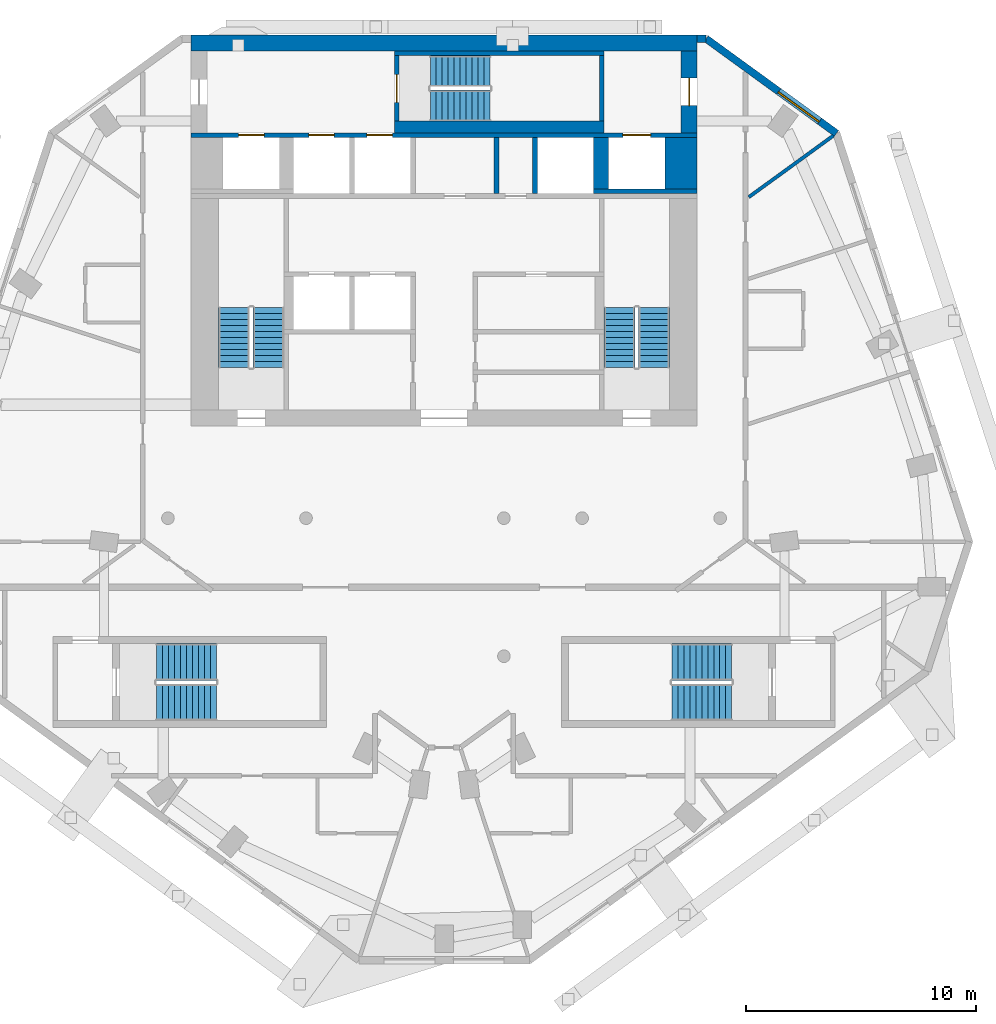
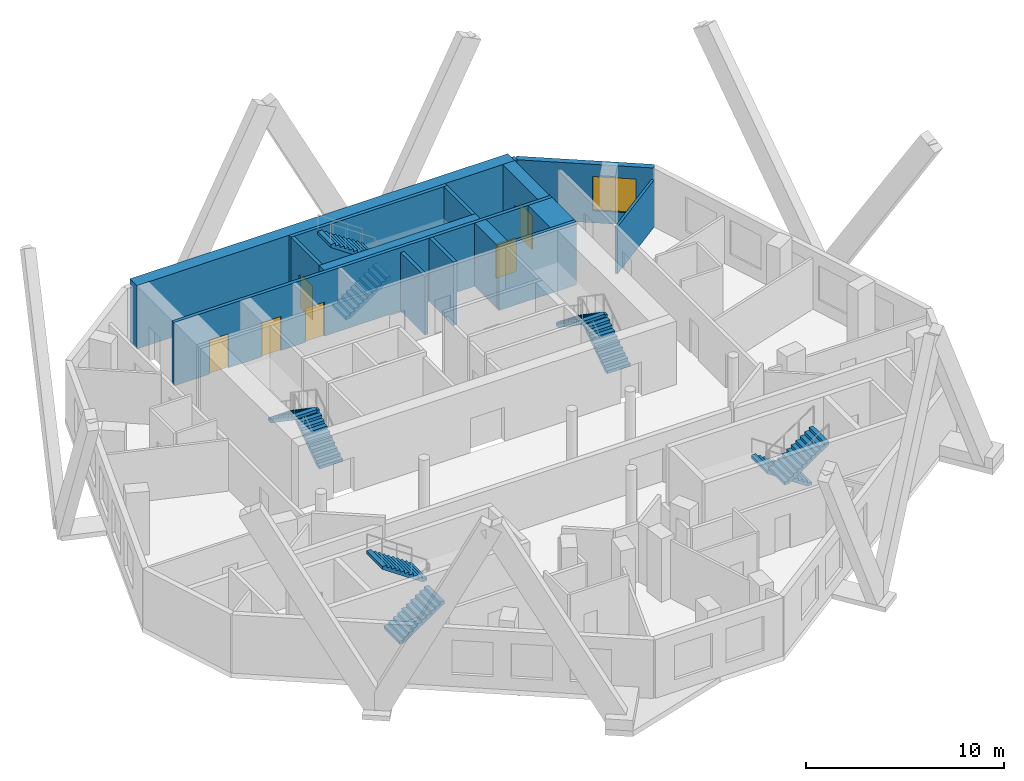
# One storey, part 6 of 8: 15 walls, 10 stair flights, 6 doors, 1 window, 7 openings, 5 elements without a shape of their own.
"""IFC4 building model written with IfcOpenShell, lengths in metres."""

from ifc_helpers import new_model, si_unit, direction, frame, frame_2d, origin, place, context, subcontext, project, spatial, polyline, rectangle, outline, extrude, material, layer, layer_set, type_object, element, fill, aggregate, save


model = new_model("IFC4")

# Units and contexts
model_context = context("Model", 3, precision=1e-05, world=origin(), true_north=direction((0.0, 1.0)))
body_context = subcontext(model_context, "Body", "Model", "MODEL_VIEW")
ifc_project = project(units=[si_unit("LENGTHUNIT", "METRE"), si_unit("AREAUNIT", "SQUARE_METRE"), si_unit("VOLUMEUNIT", "CUBIC_METRE"), si_unit("PLANEANGLEUNIT", "RADIAN"), si_unit("MASSUNIT", "GRAM", prefix="KILO")], contexts=[model_context])

# Site, building, storey
site_placement = place(None, origin())
site = spatial("IfcSite", under=ifc_project, at=site_placement, CompositionType="ELEMENT")
building_placement = place(site_placement, origin())
building = spatial("IfcBuilding", under=site, at=building_placement, Name="White Candle Pilgrim Tower", CompositionType="ELEMENT")
storey_placement = place(building_placement, frame((0.0, 0.0, 283.39990234375)))
storey = spatial("IfcBuildingStorey", under=building, at=storey_placement, Name="L67", CompositionType="ELEMENT", Elevation=283.39990234375)

# Walls
ifc_material_1 = material(Name="Concrete C50/60", Category="concrete")
ifc_layer_1 = layer(ifc_material_1, 1.39990234375)
ifc_layer_set_1 = layer_set([ifc_layer_1], Name="Core wall 1400 mm Concrete C50/60")
wall_type_1 = type_object("IfcWallType", Name="Core wall 1400 mm Concrete C50/60", PredefinedType="SHEAR", material=ifc_layer_set_1)
wall_1_placement = place(storey_placement, frame((80.300048828125, 81.300048828125, 0.0), z_axis=(0.0, 0.0, 1.0), x_axis=(0.0, 1.0, 0.0)))
element("IfcWall", 1, at=wall_1_placement, inside=storey, type_object=wall_type_1, Name="WL-L67-C42", PredefinedType="SHEAR", context=body_context, shape_type="SweptSolid", body=[
    extrude(rectangle(XDim=2.25, YDim=1.39990234375, at=frame_2d((1.125, 0.0))), origin(), (0.0, 0.0, 1.0), 3.900146484375),
])
ifc_layer_2 = layer(ifc_material_1, 0.199951171875)
ifc_layer_set_2 = layer_set([ifc_layer_2], Name="Core wall 200 mm Concrete C50/60")
wall_type_2 = type_object("IfcWallType", Name="Core wall 200 mm Concrete C50/60", PredefinedType="SHEAR", material=ifc_layer_set_2)
wall_2_placement = place(storey_placement, frame((76.5, 81.199951171875, 0.0), z_axis=(0.0, 0.0, 1.0), x_axis=(1.0, 0.0, 0.0)))
element("IfcWall", 2, at=wall_2_placement, inside=storey, type_object=wall_type_2, Name="WL-L67-C38", PredefinedType="SHEAR", context=body_context, shape_type="SweptSolid", body=[
    extrude(rectangle(XDim=4.5, YDim=0.199951171875, at=frame_2d((2.25, 0.0))), origin(), (0.0, 0.0, 1.0), 3.900146484375),
])

# Wall, openings, doors
wall_3_placement = place(storey_placement, frame((59.0, 83.64990234375, 0.0), z_axis=(0.0, 0.0, 1.0), x_axis=(1.0, 0.0, 0.0)))
wall_3 = element("IfcWall", 3, at=wall_3_placement, inside=storey, type_object=wall_type_2, Name="WL-L67-C43", PredefinedType="SHEAR", context=body_context, shape_type="SweptSolid", body=[
    extrude(rectangle(XDim=22.0, YDim=0.199951171875, at=frame_2d((11.0, 0.0))), origin(), (0.0, 0.0, 1.0), 3.900146484375),
])
opening_1_placement = place(wall_3_placement, frame((5.125, 0.0, 0.0)))
opening_1 = element("IfcOpeningElement", 4, at=opening_1_placement, cuts=wall_3, Name="Opening T21-016", PredefinedType="OPENING", context=body_context, shape_type="SweptSolid", body=[
    extrude(rectangle(XDim=1.10009765625, YDim=2.10009765625, at=frame_2d((0.550048828125, 1.050048828125))), frame((0.0, 0.10986328125, 0.0), z_axis=(0.0, -1.0, 0.0), x_axis=(1.0, 0.0, 0.0)), (0.0, 0.0, 1.0), 0.219970703125),
])
opening_2_placement = place(wall_3_placement, frame((7.64990234375, 0.0, 0.0)))
opening_2 = element("IfcOpeningElement", 5, at=opening_2_placement, cuts=wall_3, Name="Opening T21-017", PredefinedType="OPENING", context=body_context, shape_type="SweptSolid", body=[
    extrude(rectangle(XDim=1.10009765625, YDim=2.10009765625, at=frame_2d((0.550048828125, 1.050048828125))), frame((0.0, 0.10986328125, 0.0), z_axis=(0.0, -1.0, 0.0), x_axis=(1.0, 0.0, 0.0)), (0.0, 0.0, 1.0), 0.219970703125),
])
opening_3_placement = place(wall_3_placement, frame((18.77490234375, 0.0, 0.0)))
opening_3 = element("IfcOpeningElement", 6, at=opening_3_placement, cuts=wall_3, Name="Opening T21-018", PredefinedType="OPENING", context=body_context, shape_type="SweptSolid", body=[
    extrude(rectangle(XDim=1.199951171875, YDim=2.10009765625, at=frame_2d((0.60009765625, 1.050048828125))), frame((0.0, 0.10986328125, 0.0), z_axis=(0.0, -1.0, 0.0), x_axis=(1.0, 0.0, 0.0)), (0.0, 0.0, 1.0), 0.219970703125),
])
opening_4_placement = place(wall_3_placement, frame((2.074951171875, 0.0, 0.0)))
opening_4 = element("IfcOpeningElement", 7, at=opening_4_placement, cuts=wall_3, Name="Opening T21-019", PredefinedType="OPENING", context=body_context, shape_type="SweptSolid", body=[
    extrude(rectangle(XDim=1.10009765625, YDim=2.10009765625, at=frame_2d((0.550048828125, 1.050048828125))), frame((0.0, 0.10986328125, 0.0), z_axis=(0.0, -1.0, 0.0), x_axis=(1.0, 0.0, 0.0)), (0.0, 0.0, 1.0), 0.219970703125),
])
ifc_material_2 = material(Name="Stainless steel", Category="steel")
door_type_1 = type_object("IfcDoorType", Name="Lift landing door 1100 x 2100 EI 60", OperationType="DOUBLE_DOOR_SLIDING", PredefinedType="DOOR", material=ifc_material_2)
door_1_placement = place(opening_1_placement, origin())
door_1 = element("IfcDoor", 8, at=door_1_placement, inside=storey, type_object=door_type_1, Name="Door T21-016", OperationType="DOUBLE_DOOR_SLIDING", OverallHeight=2.10009765625, OverallWidth=1.10009765625, PredefinedType="DOOR", context=body_context, shape_type="SweptSolid", body=[
    extrude(rectangle(XDim=1.10009765625, YDim=2.10009765625, at=frame_2d((0.550048828125, 1.050048828125))), frame((0.0, 0.02490234375, 0.0), z_axis=(0.0, -1.0, 0.0), x_axis=(1.0, 0.0, 0.0)), (0.0, 0.0, 1.0), 0.050048828125),
])
fill(opening_1, door_1)
door_2_placement = place(opening_2_placement, origin())
door_2 = element("IfcDoor", 9, at=door_2_placement, inside=storey, type_object=door_type_1, Name="Door T21-017", OperationType="DOUBLE_DOOR_SLIDING", OverallHeight=2.10009765625, OverallWidth=1.10009765625, PredefinedType="DOOR", context=body_context, shape_type="SweptSolid", body=[
    extrude(rectangle(XDim=1.10009765625, YDim=2.10009765625, at=frame_2d((0.550048828125, 1.050048828125))), frame((0.0, 0.02490234375, 0.0), z_axis=(0.0, -1.0, 0.0), x_axis=(1.0, 0.0, 0.0)), (0.0, 0.0, 1.0), 0.050048828125),
])
fill(opening_2, door_2)
door_3_placement = place(opening_4_placement, origin())
door_3 = element("IfcDoor", 10, at=door_3_placement, inside=storey, type_object=door_type_1, Name="Door T21-019", OperationType="DOUBLE_DOOR_SLIDING", OverallHeight=2.10009765625, OverallWidth=1.10009765625, PredefinedType="DOOR", context=body_context, shape_type="SweptSolid", body=[
    extrude(rectangle(XDim=1.10009765625, YDim=2.10009765625, at=frame_2d((0.550048828125, 1.050048828125))), frame((0.0, 0.02490234375, 0.0), z_axis=(0.0, -1.0, 0.0), x_axis=(1.0, 0.0, 0.0)), (0.0, 0.0, 1.0), 0.050048828125),
])
fill(opening_4, door_3)
door_type_2 = type_object("IfcDoorType", Name="Lift landing door 1200 x 2100 E 60", OperationType="DOUBLE_DOOR_SLIDING", PredefinedType="DOOR", material=ifc_material_2)
door_4_placement = place(opening_3_placement, origin())
door_4 = element("IfcDoor", 11, at=door_4_placement, inside=storey, type_object=door_type_2, Name="Door T21-018", OperationType="DOUBLE_DOOR_SLIDING", OverallHeight=2.10009765625, OverallWidth=1.199951171875, PredefinedType="DOOR", context=body_context, shape_type="SweptSolid", body=[
    extrude(rectangle(XDim=1.199951171875, YDim=2.10009765625, at=frame_2d((0.60009765625, 1.050048828125))), frame((0.0, 0.02490234375, 0.0), z_axis=(0.0, -1.0, 0.0), x_axis=(1.0, 0.0, 0.0)), (0.0, 0.0, 1.0), 0.050048828125),
])
fill(opening_3, door_4)

# Wall, opening, door
ifc_layer_3 = layer(ifc_material_1, 0.699951171875)
ifc_layer_set_3 = layer_set([ifc_layer_3], Name="Core wall 700 mm Concrete C50/60")
wall_type_3 = type_object("IfcWallType", Name="Core wall 700 mm Concrete C50/60", PredefinedType="SHEAR", material=ifc_layer_set_3)
wall_4_placement = place(storey_placement, frame((80.64990234375, 83.75, 0.0), z_axis=(0.0, 0.0, 1.0), x_axis=(0.0, 1.0, 0.0)))
wall_4 = element("IfcWall", 12, at=wall_4_placement, inside=storey, type_object=wall_type_3, Name="WL-L67-C46", PredefinedType="SHEAR", context=body_context, shape_type="SweptSolid", body=[
    extrude(rectangle(XDim=3.550048828125, YDim=0.699951171875, at=frame_2d((1.77490234375, 0.0))), origin(), (0.0, 0.0, 1.0), 3.900146484375),
])
opening_5_placement = place(wall_4_placement, frame((1.175048828125, 0.0, 0.0)))
opening_5 = element("IfcOpeningElement", 13, at=opening_5_placement, cuts=wall_4, Name="Opening T21-009", PredefinedType="OPENING", context=body_context, shape_type="SweptSolid", body=[
    extrude(rectangle(XDim=1.199951171875, YDim=2.10009765625, at=frame_2d((0.60009765625, 1.050048828125))), frame((0.0, 0.35986328125, 0.0), z_axis=(0.0, -1.0, 0.0), x_axis=(1.0, 0.0, 0.0)), (0.0, 0.0, 1.0), 0.719970703125),
])
ifc_material_3 = material(Name="Steel door leaf", Category="steel")
door_type_3 = type_object("IfcDoorType", Name="Fire door 1200 x 2100 EI 30", OperationType="NOTDEFINED", PredefinedType="DOOR", material=ifc_material_3)
door_5_placement = place(opening_5_placement, origin())
door_5 = element("IfcDoor", 14, at=door_5_placement, inside=storey, type_object=door_type_3, Name="Door T21-009", OperationType="SINGLE_SWING_LEFT", OverallHeight=2.10009765625, OverallWidth=1.199951171875, PredefinedType="DOOR", context=body_context, shape_type="SweptSolid", body=[
    extrude(rectangle(XDim=1.199951171875, YDim=2.10009765625, at=frame_2d((0.60009765625, 1.050048828125))), frame((0.0, 0.02490234375, 0.0), z_axis=(0.0, -1.0, 0.0), x_axis=(1.0, 0.0, 0.0)), (0.0, 0.0, 1.0), 0.050048828125),
])
fill(opening_5, door_5)

# Wall
wall_5_placement = place(storey_placement, frame((59.0, 87.64990234375, 0.0), z_axis=(0.0, 0.0, 1.0), x_axis=(1.0, 0.0, 0.0)))
element("IfcWall", 15, at=wall_5_placement, inside=storey, type_object=wall_type_3, Name="WL-L67-C50", PredefinedType="SHEAR", context=body_context, shape_type="SweptSolid", body=[
    extrude(rectangle(XDim=22.0, YDim=0.699951171875, at=frame_2d((11.0, 0.0))), origin(), (0.0, 0.0, 1.0), 3.900146484375),
])

# Wall, opening, window
ifc_material_4 = material(Name="Precast concrete C40/50", Category="concrete")
ifc_layer_4 = layer(ifc_material_4, 0.320068359375)
ifc_layer_set_4 = layer_set([ifc_layer_4], Name="Facade wall EW1 precast concrete C40/50 pier wall with timber-lined reveals")
wall_type_4 = type_object("IfcWallType", Name="Facade wall EW1 precast concrete C40/50 pier wall with timber-lined reveals", PredefinedType="SOLIDWALL", material=ifc_layer_set_4)
wall_6_placement = place(storey_placement, frame((87.05322265625, 83.7216796875, 0.0), z_axis=(0.0, 0.0, 1.0), x_axis=(-0.809002708762, 0.587804914249, 0.0)))
wall_6 = element("IfcWall", 16, at=wall_6_placement, inside=storey, type_object=wall_type_4, Name="Facade wall L67 NE chamfer", PredefinedType="SOLIDWALL", context=body_context, shape_type="SweptSolid", body=[
    extrude(rectangle(XDim=7.00634765625, YDim=0.320068359375, at=frame_2d((3.503173828125, 0.0))), origin(), (0.0, 0.0, 1.0), 3.60009765625),
])
opening_6_placement = place(wall_6_placement, frame((0.9033203125, 0.0, 0.75)))
opening_6 = element("IfcOpeningElement", 17, at=opening_6_placement, cuts=wall_6, Name="Opening W4", PredefinedType="OPENING", context=body_context, shape_type="SweptSolid", body=[
    extrude(rectangle(XDim=2.199951171875, YDim=2.10009765625, at=frame_2d((1.10009765625, 1.050048828125))), frame((0.0, 0.169921875, 0.0), z_axis=(0.0, -1.0, 0.0), x_axis=(1.0, 0.0, 0.0)), (0.0, 0.0, 1.0), 0.340087890625),
])
ifc_material_5 = material(Name="Timber frame with triple glazing", Category="wood")
window_type = type_object("IfcWindowType", Name="Window W4 2200x2100 timber frame triple glazing", PartitioningType="SINGLE_PANEL", PredefinedType="WINDOW", material=ifc_material_5)
window_placement = place(opening_6_placement, origin())
window = element("IfcWindow", 18, at=window_placement, inside=storey, type_object=window_type, Name="Window W4 L67 NE chamfer 1", OverallHeight=2.10009765625, OverallWidth=2.199951171875, PartitioningType="SINGLE_PANEL", PredefinedType="WINDOW", context=body_context, shape_type="SweptSolid", body=[
    extrude(rectangle(XDim=2.199951171875, YDim=2.10009765625, at=frame_2d((1.10009765625, 1.050048828125))), frame((0.0, 0.070068359375, 0.0), z_axis=(0.0, -1.0, 0.0), x_axis=(1.0, 0.0, 0.0)), (0.0, 0.0, 1.0), 0.06005859375),
])
fill(opening_6, window)

# Walls
wall_7_placement = place(storey_placement, frame((81.385009765625, 87.840087890625, 0.0), z_axis=(0.0, 0.0, 1.0), x_axis=(-1.0, 0.0, 0.0)))
element("IfcWall", 19, at=wall_7_placement, inside=storey, type_object=wall_type_4, Name="Facade wall L67 N", PredefinedType="SOLIDWALL", context=body_context, shape_type="SweptSolid", body=[
    extrude(rectangle(XDim=0.385009765625, YDim=0.320068359375, at=frame_2d((0.1923828125, 0.0))), origin(), (0.0, 0.0, 1.0), 3.60009765625),
])
ifc_material_6 = material(Name="Gypsum board on steel studs", Category="steel")
ifc_layer_5 = layer(ifc_material_6, 0.199951171875)
ifc_layer_set_5 = layer_set([ifc_layer_5], Name="Lobby wall 200 mm EI 60")
wall_type_5 = type_object("IfcWallType", Name="Lobby wall 200 mm EI 60", PredefinedType="PARTITIONING", material=ifc_layer_set_5)
wall_8_placement = place(storey_placement, frame((72.280029296875, 81.10009765625, 0.0), z_axis=(0.0, 0.0, 1.0), x_axis=(0.0, 1.0, 0.0)))
element("IfcWall", 20, at=wall_8_placement, inside=storey, type_object=wall_type_5, Name="WL-L67-C36", PredefinedType="PARTITIONING", context=body_context, shape_type="SweptSolid", body=[
    extrude(rectangle(XDim=2.449951171875, YDim=0.199951171875, at=frame_2d((1.22509765625, 0.0))), origin(), (0.0, 0.0, 1.0), 3.60009765625),
])
ifc_layer_6 = layer(ifc_material_6, 0.14990234375)
ifc_layer_set_6 = layer_set([ifc_layer_6], Name="Partition 150 mm EI 60")
wall_type_6 = type_object("IfcWallType", Name="Partition 150 mm EI 60", PredefinedType="PARTITIONING", material=ifc_layer_set_6)
wall_9_placement = place(storey_placement, frame((86.917236328125, 83.622802734375, 0.0), z_axis=(0.0, 0.0, 1.0), x_axis=(-0.809012707043, -0.587791153253, 0.0)))
element("IfcWall", 21, at=wall_9_placement, inside=storey, type_object=wall_type_6, Name="WL-L67-P024", PredefinedType="PARTITIONING", context=body_context, shape_type="SweptSolid", body=[
    extrude(rectangle(XDim=4.540283203125, YDim=0.14990234375, at=frame_2d((2.27001953125, 0.0))), origin(), (0.0, 0.0, 1.0), 2.900146484375),
])
ifc_layer_7 = layer(ifc_material_1, 0.199951171875)
ifc_layer_set_7 = layer_set([ifc_layer_7], Name="Shaft wall 200 mm Concrete C50/60")
wall_type_7 = type_object("IfcWallType", Name="Shaft wall 200 mm Concrete C50/60", PredefinedType="SHEAR", material=ifc_layer_set_7)
wall_10_placement = place(storey_placement, frame((73.949951171875, 81.10009765625, 0.0), z_axis=(0.0, 0.0, 1.0), x_axis=(0.0, 1.0, 0.0)))
element("IfcWall", 22, at=wall_10_placement, inside=storey, type_object=wall_type_7, Name="WL-L67-C37", PredefinedType="SHEAR", context=body_context, shape_type="SweptSolid", body=[
    extrude(rectangle(XDim=2.449951171875, YDim=0.199951171875, at=frame_2d((1.22509765625, 0.0))), origin(), (0.0, 0.0, 1.0), 3.900146484375),
])
ifc_layer_8 = layer(ifc_material_1, 0.64990234375)
ifc_layer_set_8 = layer_set([ifc_layer_8], Name="Shaft wall 650 mm Concrete C50/60")
wall_type_8 = type_object("IfcWallType", Name="Shaft wall 650 mm Concrete C50/60", PredefinedType="SHEAR", material=ifc_layer_set_8)
wall_11_placement = place(storey_placement, frame((76.824951171875, 81.300048828125, 0.0), z_axis=(0.0, 0.0, 1.0), x_axis=(0.0, 1.0, 0.0)))
element("IfcWall", 23, at=wall_11_placement, inside=storey, type_object=wall_type_8, Name="WL-L67-C41", PredefinedType="SHEAR", context=body_context, shape_type="SweptSolid", body=[
    extrude(rectangle(XDim=2.25, YDim=0.64990234375, at=frame_2d((1.125, 0.0))), origin(), (0.0, 0.0, 1.0), 3.900146484375),
])

# Wall, opening, door
ifc_layer_9 = layer(ifc_material_1, 0.199951171875)
ifc_layer_set_9 = layer_set([ifc_layer_9], Name="Stair shaft wall 200 mm Concrete C50/60")
wall_type_9 = type_object("IfcWallType", Name="Stair shaft wall 200 mm Concrete C50/60", PredefinedType="SHEAR", material=ifc_layer_set_9)
wall_12_placement = place(storey_placement, frame((67.949951171875, 84.25, 0.0), z_axis=(0.0, 0.0, 1.0), x_axis=(0.0, 1.0, 0.0)))
wall_12 = element("IfcWall", 24, at=wall_12_placement, inside=storey, type_object=wall_type_9, Name="WL-L67-C47", PredefinedType="SHEAR", context=body_context, shape_type="SweptSolid", body=[
    extrude(rectangle(XDim=2.85009765625, YDim=0.199951171875, at=frame_2d((1.425048828125, 0.0))), origin(), (0.0, 0.0, 1.0), 3.900146484375),
])
opening_7_placement = place(wall_12_placement, frame((0.824951171875, 0.0, 0.0)))
opening_7 = element("IfcOpeningElement", 25, at=opening_7_placement, cuts=wall_12, Name="Opening T21-003", PredefinedType="OPENING", context=body_context, shape_type="SweptSolid", body=[
    extrude(rectangle(XDim=1.199951171875, YDim=2.10009765625, at=frame_2d((0.60009765625, 1.050048828125))), frame((0.0, 0.10986328125, 0.0), z_axis=(0.0, -1.0, 0.0), x_axis=(1.0, 0.0, 0.0)), (0.0, 0.0, 1.0), 0.219970703125),
])
door_type_4 = type_object("IfcDoorType", Name="Fire door 1200 x 2100 EI 60", OperationType="NOTDEFINED", PredefinedType="DOOR", material=ifc_material_3)
door_6_placement = place(opening_7_placement, frame((1.199951171875, 0.0, 0.0), z_axis=(0.0, 0.0, 1.0), x_axis=(-1.0, 0.0, 0.0)))
door_6 = element("IfcDoor", 26, at=door_6_placement, inside=storey, type_object=door_type_4, Name="Door T21-003", OperationType="SINGLE_SWING_RIGHT", OverallHeight=2.10009765625, OverallWidth=1.199951171875, PredefinedType="DOOR", context=body_context, shape_type="SweptSolid", body=[
    extrude(rectangle(XDim=1.199951171875, YDim=2.10009765625, at=frame_2d((0.60009765625, 1.050048828125))), frame((0.0, 0.02490234375, 0.0), z_axis=(0.0, -1.0, 0.0), x_axis=(1.0, 0.0, 0.0)), (0.0, 0.0, 1.0), 0.050048828125),
])
fill(opening_7, door_6)

# Walls
wall_13_placement = place(storey_placement, frame((76.85009765625, 84.25, 0.0), z_axis=(0.0, 0.0, 1.0), x_axis=(0.0, 1.0, 0.0)))
element("IfcWall", 27, at=wall_13_placement, inside=storey, type_object=wall_type_9, Name="WL-L67-C48", PredefinedType="SHEAR", context=body_context, shape_type="SweptSolid", body=[
    extrude(rectangle(XDim=2.85009765625, YDim=0.199951171875, at=frame_2d((1.425048828125, 0.0))), origin(), (0.0, 0.0, 1.0), 3.900146484375),
])
wall_14_placement = place(storey_placement, frame((67.85009765625, 87.199951171875, 0.0), z_axis=(0.0, 0.0, 1.0), x_axis=(1.0, 0.0, 0.0)))
element("IfcWall", 28, at=wall_14_placement, inside=storey, type_object=wall_type_9, Name="WL-L67-C49", PredefinedType="SHEAR", context=body_context, shape_type="SweptSolid", body=[
    extrude(rectangle(XDim=9.099853515625, YDim=0.199951171875, at=frame_2d((4.5498046875, 0.0))), origin(), (0.0, 0.0, 1.0), 3.900146484375),
])
ifc_layer_10 = layer(ifc_material_1, 0.5)
ifc_layer_set_10 = layer_set([ifc_layer_10], Name="Stair shaft wall 500 mm Concrete C50/60")
wall_type_10 = type_object("IfcWallType", Name="Stair shaft wall 500 mm Concrete C50/60", PredefinedType="SHEAR", material=ifc_layer_set_10)
wall_15_placement = place(storey_placement, frame((67.85009765625, 84.0, 0.0), z_axis=(0.0, 0.0, 1.0), x_axis=(1.0, 0.0, 0.0)))
element("IfcWall", 29, at=wall_15_placement, inside=storey, type_object=wall_type_10, Name="WL-L67-C45", PredefinedType="SHEAR", context=body_context, shape_type="SweptSolid", body=[
    extrude(rectangle(XDim=9.099853515625, YDim=0.5, at=frame_2d((4.5498046875, 0.0))), origin(), (0.0, 0.0, 1.0), 3.900146484375),
])

# Stair, stair flights
ifc_material_7 = material(Name="Concrete C40/50", Category="concrete")
stair_type_1 = type_object("IfcStairType", Name="Exit stair 1 flight width 1350 mm", PredefinedType="HALF_TURN_STAIR", material=ifc_material_7)
stair_1_placement = place(storey_placement, origin())
stair_1 = element("IfcStair", 30, at=stair_1_placement, inside=storey, type_object=stair_type_1, Name="L67 stair 1", PredefinedType="NOTDEFINED")
ifc_layer_11 = layer(ifc_material_7, 0.14990234375)
ifc_layer_set_11 = layer_set([ifc_layer_11], Name="Stair flight Concrete C40/50")
stair_flight_type = type_object("IfcStairFlightType", Name="Stair flight Concrete C40/50", PredefinedType="STRAIGHT", material=ifc_layer_set_11)
stair_flight_1_placement = place(storey_placement, frame((62.375, 73.550048828125, 0.0), z_axis=(0.0, 0.0, 1.0), x_axis=(0.0, 1.0, 0.0)))
stair_flight_1 = element("IfcStairFlight", 31, at=stair_flight_1_placement, type_object=stair_flight_type, Name="ST1 flight 1", NumberOfRisers=11, NumberOfTreads=10, PredefinedType="NOTDEFINED", RiserHeight=0.177272727, TreadLength=0.26, context=body_context, shape_type="SweptSolid", body=[
    extrude(outline(polyline([(0.0, 0.0), (0.0, 0.17724609375), (0.260009765625, 0.17724609375), (0.260009765625, 0.3544921875), (0.52001953125, 0.3544921875), (0.52001953125, 0.53173828125), (0.780029296875, 0.53173828125), (0.780029296875, 0.708984375), (1.0400390625, 0.708984375), (1.0400390625, 0.886474609375), (1.300048828125, 0.886474609375), (1.300048828125, 1.063720703125), (1.56005859375, 1.063720703125), (1.56005859375, 1.240966796875), (1.820068359375, 1.240966796875), (1.820068359375, 1.418212890625), (2.080078125, 1.418212890625), (2.080078125, 1.595458984375), (2.340087890625, 1.595458984375), (2.340087890625, 1.772705078125), (2.60009765625, 1.772705078125), (2.60009765625, 1.949951171875), (2.60009765625, 1.59130859375), (0.26611328125, 0.0), (0.0, 0.0)])), frame((0.0, 0.675048828125, 0.0), z_axis=(0.0, -1.0, 0.0), x_axis=(1.0, 0.0, 0.0)), (0.0, 0.0, 1.0), 1.35009765625),
])
stair_flight_2_placement = place(storey_placement, frame((60.875, 76.14990234375, 1.9501953125), z_axis=(0.0, 0.0, 1.0), x_axis=(0.0, -1.0, 0.0)))
stair_flight_2 = element("IfcStairFlight", 32, at=stair_flight_2_placement, type_object=stair_flight_type, Name="ST1 flight 2", NumberOfRisers=11, NumberOfTreads=10, PredefinedType="NOTDEFINED", RiserHeight=0.177272727, TreadLength=0.26, context=body_context, shape_type="SweptSolid", body=[
    extrude(outline(polyline([(0.0, 0.0), (0.0, 0.17724609375), (0.260009765625, 0.17724609375), (0.260009765625, 0.3544921875), (0.52001953125, 0.3544921875), (0.52001953125, 0.53173828125), (0.780029296875, 0.53173828125), (0.780029296875, 0.708984375), (1.0400390625, 0.708984375), (1.0400390625, 0.886474609375), (1.300048828125, 0.886474609375), (1.300048828125, 1.063720703125), (1.56005859375, 1.063720703125), (1.56005859375, 1.240966796875), (1.820068359375, 1.240966796875), (1.820068359375, 1.418212890625), (2.080078125, 1.418212890625), (2.080078125, 1.595458984375), (2.340087890625, 1.595458984375), (2.340087890625, 1.772705078125), (2.60009765625, 1.772705078125), (2.60009765625, 1.949951171875), (2.60009765625, 1.59130859375), (0.26611328125, 0.0), (0.0, 0.0)])), frame((0.0, 0.675048828125, 0.0), z_axis=(0.0, -1.0, 0.0), x_axis=(1.0, 0.0, 0.0)), (0.0, 0.0, 1.0), 1.35009765625),
])
aggregate(stair_1, [stair_flight_1, stair_flight_2])

stair_type_2 = type_object("IfcStairType", Name="Exit stair 2 flight width 1350 mm", PredefinedType="HALF_TURN_STAIR", material=ifc_material_7)
stair_2_placement = place(storey_placement, origin())
stair_2 = element("IfcStair", 33, at=stair_2_placement, inside=storey, type_object=stair_type_2, Name="L67 stair 2", PredefinedType="NOTDEFINED")
stair_flight_3_placement = place(storey_placement, frame((79.125, 73.550048828125, 0.0), z_axis=(0.0, 0.0, 1.0), x_axis=(0.0, 1.0, 0.0)))
stair_flight_3 = element("IfcStairFlight", 34, at=stair_flight_3_placement, type_object=stair_flight_type, Name="ST2 flight 1", NumberOfRisers=11, NumberOfTreads=10, PredefinedType="NOTDEFINED", RiserHeight=0.177272727, TreadLength=0.26, context=body_context, shape_type="SweptSolid", body=[
    extrude(outline(polyline([(0.0, 0.0), (0.0, 0.17724609375), (0.260009765625, 0.17724609375), (0.260009765625, 0.3544921875), (0.52001953125, 0.3544921875), (0.52001953125, 0.53173828125), (0.780029296875, 0.53173828125), (0.780029296875, 0.708984375), (1.0400390625, 0.708984375), (1.0400390625, 0.886474609375), (1.300048828125, 0.886474609375), (1.300048828125, 1.063720703125), (1.56005859375, 1.063720703125), (1.56005859375, 1.240966796875), (1.820068359375, 1.240966796875), (1.820068359375, 1.418212890625), (2.080078125, 1.418212890625), (2.080078125, 1.595458984375), (2.340087890625, 1.595458984375), (2.340087890625, 1.772705078125), (2.60009765625, 1.772705078125), (2.60009765625, 1.949951171875), (2.60009765625, 1.59130859375), (0.26611328125, 0.0), (0.0, 0.0)])), frame((0.0, 0.675048828125, 0.0), z_axis=(0.0, -1.0, 0.0), x_axis=(1.0, 0.0, 0.0)), (0.0, 0.0, 1.0), 1.35009765625),
])
stair_flight_4_placement = place(storey_placement, frame((77.625, 76.14990234375, 1.9501953125), z_axis=(0.0, 0.0, 1.0), x_axis=(0.0, -1.0, 0.0)))
stair_flight_4 = element("IfcStairFlight", 35, at=stair_flight_4_placement, type_object=stair_flight_type, Name="ST2 flight 2", NumberOfRisers=11, NumberOfTreads=10, PredefinedType="NOTDEFINED", RiserHeight=0.177272727, TreadLength=0.26, context=body_context, shape_type="SweptSolid", body=[
    extrude(outline(polyline([(0.0, 0.0), (0.0, 0.17724609375), (0.260009765625, 0.17724609375), (0.260009765625, 0.3544921875), (0.52001953125, 0.3544921875), (0.52001953125, 0.53173828125), (0.780029296875, 0.53173828125), (0.780029296875, 0.708984375), (1.0400390625, 0.708984375), (1.0400390625, 0.886474609375), (1.300048828125, 0.886474609375), (1.300048828125, 1.063720703125), (1.56005859375, 1.063720703125), (1.56005859375, 1.240966796875), (1.820068359375, 1.240966796875), (1.820068359375, 1.418212890625), (2.080078125, 1.418212890625), (2.080078125, 1.595458984375), (2.340087890625, 1.595458984375), (2.340087890625, 1.772705078125), (2.60009765625, 1.772705078125), (2.60009765625, 1.949951171875), (2.60009765625, 1.59130859375), (0.26611328125, 0.0), (0.0, 0.0)])), frame((0.0, 0.675048828125, 0.0), z_axis=(0.0, -1.0, 0.0), x_axis=(1.0, 0.0, 0.0)), (0.0, 0.0, 1.0), 1.35009765625),
])
aggregate(stair_2, [stair_flight_3, stair_flight_4])

stair_type_3 = type_object("IfcStairType", Name="Exit stair 3 flight width 1350 mm", PredefinedType="HALF_TURN_STAIR", material=ifc_material_7)
stair_3_placement = place(storey_placement, origin())
stair_3 = element("IfcStair", 36, at=stair_3_placement, inside=storey, type_object=stair_type_3, Name="L67 stair 3", PredefinedType="NOTDEFINED")
stair_flight_5_placement = place(storey_placement, frame((69.39990234375, 84.925048828125, 0.0), z_axis=(0.0, 0.0, 1.0), x_axis=(1.0, 0.0, 0.0)))
stair_flight_5 = element("IfcStairFlight", 37, at=stair_flight_5_placement, type_object=stair_flight_type, Name="ST3 flight 1", NumberOfRisers=11, NumberOfTreads=10, PredefinedType="NOTDEFINED", RiserHeight=0.177272727, TreadLength=0.26, context=body_context, shape_type="SweptSolid", body=[
    extrude(outline(polyline([(0.0, 0.0), (0.0, 0.17724609375), (0.260009765625, 0.17724609375), (0.260009765625, 0.3544921875), (0.52001953125, 0.3544921875), (0.52001953125, 0.53173828125), (0.780029296875, 0.53173828125), (0.780029296875, 0.708984375), (1.0400390625, 0.708984375), (1.0400390625, 0.886474609375), (1.300048828125, 0.886474609375), (1.300048828125, 1.063720703125), (1.56005859375, 1.063720703125), (1.56005859375, 1.240966796875), (1.820068359375, 1.240966796875), (1.820068359375, 1.418212890625), (2.080078125, 1.418212890625), (2.080078125, 1.595458984375), (2.340087890625, 1.595458984375), (2.340087890625, 1.772705078125), (2.60009765625, 1.772705078125), (2.60009765625, 1.949951171875), (2.60009765625, 1.59130859375), (0.26611328125, 0.0), (0.0, 0.0)])), frame((0.0, 0.675048828125, 0.0), z_axis=(0.0, -1.0, 0.0), x_axis=(1.0, 0.0, 0.0)), (0.0, 0.0, 1.0), 1.35009765625),
])
stair_flight_6_placement = place(storey_placement, frame((72.0, 86.425048828125, 1.9501953125), z_axis=(0.0, 0.0, 1.0), x_axis=(-1.0, 0.0, 0.0)))
stair_flight_6 = element("IfcStairFlight", 38, at=stair_flight_6_placement, type_object=stair_flight_type, Name="ST3 flight 2", NumberOfRisers=11, NumberOfTreads=10, PredefinedType="NOTDEFINED", RiserHeight=0.177272727, TreadLength=0.26, context=body_context, shape_type="SweptSolid", body=[
    extrude(outline(polyline([(0.0, 0.0), (0.0, 0.17724609375), (0.260009765625, 0.17724609375), (0.260009765625, 0.3544921875), (0.52001953125, 0.3544921875), (0.52001953125, 0.53173828125), (0.780029296875, 0.53173828125), (0.780029296875, 0.708984375), (1.0400390625, 0.708984375), (1.0400390625, 0.886474609375), (1.300048828125, 0.886474609375), (1.300048828125, 1.063720703125), (1.56005859375, 1.063720703125), (1.56005859375, 1.240966796875), (1.820068359375, 1.240966796875), (1.820068359375, 1.418212890625), (2.080078125, 1.418212890625), (2.080078125, 1.595458984375), (2.340087890625, 1.595458984375), (2.340087890625, 1.772705078125), (2.60009765625, 1.772705078125), (2.60009765625, 1.949951171875), (2.60009765625, 1.59130859375), (0.26611328125, 0.0), (0.0, 0.0)])), frame((0.0, 0.675048828125, 0.0), z_axis=(0.0, -1.0, 0.0), x_axis=(1.0, 0.0, 0.0)), (0.0, 0.0, 1.0), 1.35009765625),
])
aggregate(stair_3, [stair_flight_5, stair_flight_6])

stair_type_4 = type_object("IfcStairType", Name="Exit stair 4 flight width 1600 mm", PredefinedType="HALF_TURN_STAIR", material=ifc_material_7)
stair_4_placement = place(storey_placement, origin())
stair_4 = element("IfcStair", 39, at=stair_4_placement, inside=storey, type_object=stair_type_4, Name="L67 stair 4", PredefinedType="NOTDEFINED")
stair_flight_7_placement = place(storey_placement, frame((82.5, 60.75, 0.0), z_axis=(0.0, 0.0, 1.0), x_axis=(-1.0, 0.0, 0.0)))
stair_flight_7 = element("IfcStairFlight", 40, at=stair_flight_7_placement, type_object=stair_flight_type, Name="ST4 flight 1", NumberOfRisers=11, NumberOfTreads=10, PredefinedType="NOTDEFINED", RiserHeight=0.177272727, TreadLength=0.26, context=body_context, shape_type="SweptSolid", body=[
    extrude(outline(polyline([(0.0, 0.0), (0.0, 0.17724609375), (0.260009765625, 0.17724609375), (0.260009765625, 0.3544921875), (0.52001953125, 0.3544921875), (0.52001953125, 0.53173828125), (0.780029296875, 0.53173828125), (0.780029296875, 0.708984375), (1.0400390625, 0.708984375), (1.0400390625, 0.886474609375), (1.300048828125, 0.886474609375), (1.300048828125, 1.063720703125), (1.56005859375, 1.063720703125), (1.56005859375, 1.240966796875), (1.820068359375, 1.240966796875), (1.820068359375, 1.418212890625), (2.080078125, 1.418212890625), (2.080078125, 1.595458984375), (2.340087890625, 1.595458984375), (2.340087890625, 1.772705078125), (2.60009765625, 1.772705078125), (2.60009765625, 1.949951171875), (2.60009765625, 1.59130859375), (0.26611328125, 0.0), (0.0, 0.0)])), frame((0.0, 0.800048828125, 0.0), z_axis=(0.0, -1.0, 0.0), x_axis=(1.0, 0.0, 0.0)), (0.0, 0.0, 1.0), 1.60009765625),
])
stair_flight_8_placement = place(storey_placement, frame((79.89990234375, 59.0, 1.9501953125), z_axis=(0.0, 0.0, 1.0), x_axis=(1.0, 0.0, 0.0)))
stair_flight_8 = element("IfcStairFlight", 41, at=stair_flight_8_placement, type_object=stair_flight_type, Name="ST4 flight 2", NumberOfRisers=11, NumberOfTreads=10, PredefinedType="NOTDEFINED", RiserHeight=0.177272727, TreadLength=0.26, context=body_context, shape_type="SweptSolid", body=[
    extrude(outline(polyline([(0.0, 0.0), (0.0, 0.17724609375), (0.260009765625, 0.17724609375), (0.260009765625, 0.3544921875), (0.52001953125, 0.3544921875), (0.52001953125, 0.53173828125), (0.780029296875, 0.53173828125), (0.780029296875, 0.708984375), (1.0400390625, 0.708984375), (1.0400390625, 0.886474609375), (1.300048828125, 0.886474609375), (1.300048828125, 1.063720703125), (1.56005859375, 1.063720703125), (1.56005859375, 1.240966796875), (1.820068359375, 1.240966796875), (1.820068359375, 1.418212890625), (2.080078125, 1.418212890625), (2.080078125, 1.595458984375), (2.340087890625, 1.595458984375), (2.340087890625, 1.772705078125), (2.60009765625, 1.772705078125), (2.60009765625, 1.949951171875), (2.60009765625, 1.59130859375), (0.26611328125, 0.0), (0.0, 0.0)])), frame((0.0, 0.800048828125, 0.0), z_axis=(0.0, -1.0, 0.0), x_axis=(1.0, 0.0, 0.0)), (0.0, 0.0, 1.0), 1.60009765625),
])
aggregate(stair_4, [stair_flight_7, stair_flight_8])

stair_type_5 = type_object("IfcStairType", Name="Exit stair 5 flight width 1600 mm", PredefinedType="HALF_TURN_STAIR", material=ifc_material_7)
stair_5_placement = place(storey_placement, origin())
stair_5 = element("IfcStair", 42, at=stair_5_placement, inside=storey, type_object=stair_type_5, Name="L67 stair 5", PredefinedType="NOTDEFINED")
stair_flight_9_placement = place(storey_placement, frame((57.5, 59.0, 0.0), z_axis=(0.0, 0.0, 1.0), x_axis=(1.0, 0.0, 0.0)))
stair_flight_9 = element("IfcStairFlight", 43, at=stair_flight_9_placement, type_object=stair_flight_type, Name="ST5 flight 1", NumberOfRisers=11, NumberOfTreads=10, PredefinedType="NOTDEFINED", RiserHeight=0.177272727, TreadLength=0.26, context=body_context, shape_type="SweptSolid", body=[
    extrude(outline(polyline([(0.0, 0.0), (0.0, 0.17724609375), (0.260009765625, 0.17724609375), (0.260009765625, 0.3544921875), (0.52001953125, 0.3544921875), (0.52001953125, 0.53173828125), (0.780029296875, 0.53173828125), (0.780029296875, 0.708984375), (1.0400390625, 0.708984375), (1.0400390625, 0.886474609375), (1.300048828125, 0.886474609375), (1.300048828125, 1.063720703125), (1.56005859375, 1.063720703125), (1.56005859375, 1.240966796875), (1.820068359375, 1.240966796875), (1.820068359375, 1.418212890625), (2.080078125, 1.418212890625), (2.080078125, 1.595458984375), (2.340087890625, 1.595458984375), (2.340087890625, 1.772705078125), (2.60009765625, 1.772705078125), (2.60009765625, 1.949951171875), (2.60009765625, 1.59130859375), (0.26611328125, 0.0), (0.0, 0.0)])), frame((0.0, 0.800048828125, 0.0), z_axis=(0.0, -1.0, 0.0), x_axis=(1.0, 0.0, 0.0)), (0.0, 0.0, 1.0), 1.60009765625),
])
stair_flight_10_placement = place(storey_placement, frame((60.10009765625, 60.75, 1.9501953125), z_axis=(0.0, 0.0, 1.0), x_axis=(-1.0, 0.0, 0.0)))
stair_flight_10 = element("IfcStairFlight", 44, at=stair_flight_10_placement, type_object=stair_flight_type, Name="ST5 flight 2", NumberOfRisers=11, NumberOfTreads=10, PredefinedType="NOTDEFINED", RiserHeight=0.177272727, TreadLength=0.26, context=body_context, shape_type="SweptSolid", body=[
    extrude(outline(polyline([(0.0, 0.0), (0.0, 0.17724609375), (0.260009765625, 0.17724609375), (0.260009765625, 0.3544921875), (0.52001953125, 0.3544921875), (0.52001953125, 0.53173828125), (0.780029296875, 0.53173828125), (0.780029296875, 0.708984375), (1.0400390625, 0.708984375), (1.0400390625, 0.886474609375), (1.300048828125, 0.886474609375), (1.300048828125, 1.063720703125), (1.56005859375, 1.063720703125), (1.56005859375, 1.240966796875), (1.820068359375, 1.240966796875), (1.820068359375, 1.418212890625), (2.080078125, 1.418212890625), (2.080078125, 1.595458984375), (2.340087890625, 1.595458984375), (2.340087890625, 1.772705078125), (2.60009765625, 1.772705078125), (2.60009765625, 1.949951171875), (2.60009765625, 1.59130859375), (0.26611328125, 0.0), (0.0, 0.0)])), frame((0.0, 0.800048828125, 0.0), z_axis=(0.0, -1.0, 0.0), x_axis=(1.0, 0.0, 0.0)), (0.0, 0.0, 1.0), 1.60009765625),
])
aggregate(stair_5, [stair_flight_9, stair_flight_10])

save(model, "model.ifc")
